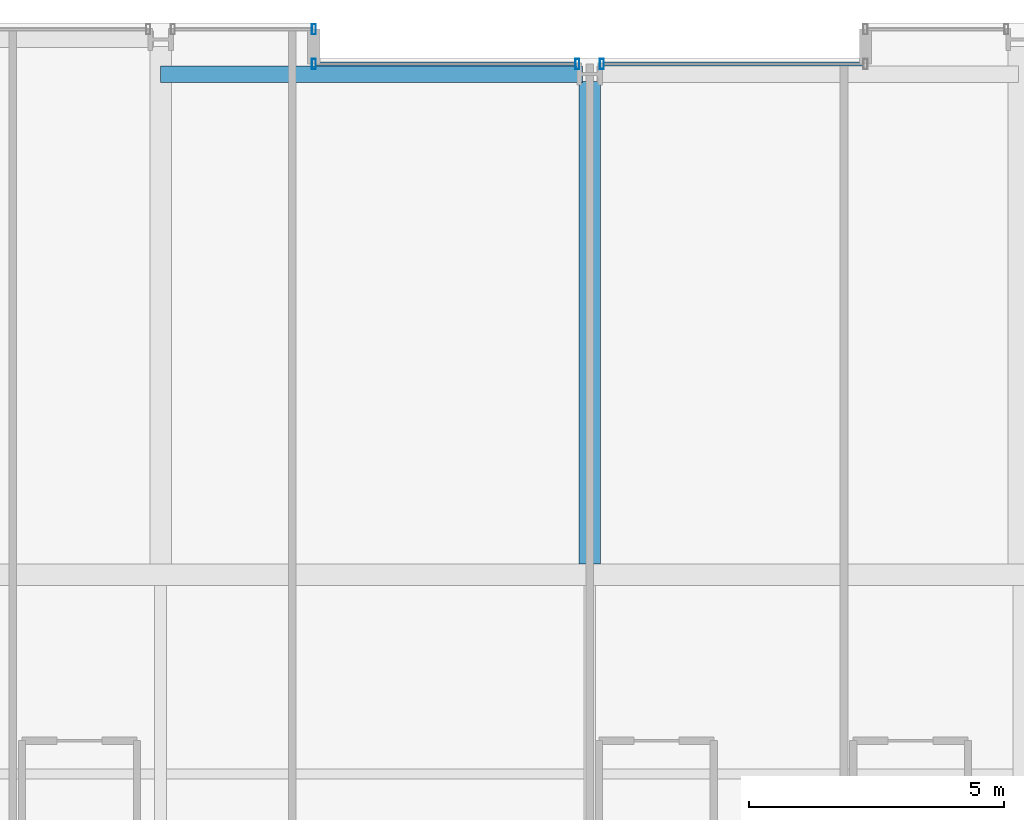
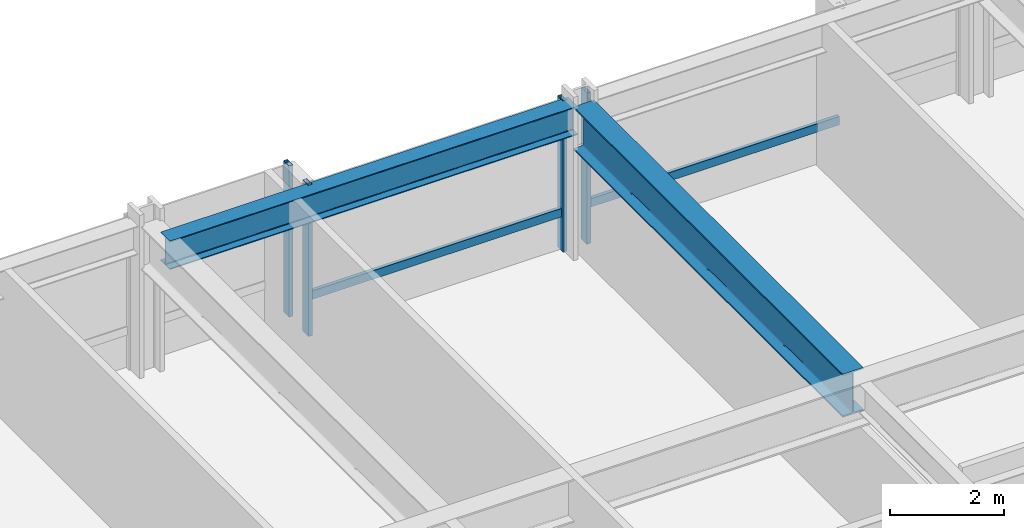
# One storey, part 23 of 42: 6 members, 2 beams, 3 elements without a shape of their own.
"""IFC4 building model written with IfcOpenShell, lengths in metres."""

from ifc_helpers import new_model, si_unit, direction, frame, origin, origin_2d, place, context, subcontext, project, spatial, hollow_rectangle, i_section, extrude, material, layer, layer_set, material_profile, profile_set, type_object, element, aggregate, save


model = new_model("IFC4")

# Units and contexts
model_context = context("Model", 3, precision=1e-05, world=origin(), true_north=direction((0.0, 1.0)))
body_context = subcontext(model_context, "Body", "Model", "MODEL_VIEW")
ifc_project = project(units=[si_unit("LENGTHUNIT", "METRE"), si_unit("AREAUNIT", "SQUARE_METRE"), si_unit("VOLUMEUNIT", "CUBIC_METRE"), si_unit("PLANEANGLEUNIT", "RADIAN"), si_unit("MASSUNIT", "GRAM", prefix="KILO")], contexts=[model_context])

# Site, building, storey
site_placement = place(None, origin())
site = spatial("IfcSite", under=ifc_project, at=site_placement, CompositionType="ELEMENT")
building_placement = place(site_placement, origin())
building = spatial("IfcBuilding", under=site, at=building_placement, Name="Drelvath Grand Hotel", CompositionType="ELEMENT")
storey_placement = place(building_placement, frame((0.0, 0.0, 33.199951171875)))
storey = spatial("IfcBuildingStorey", under=building, at=storey_placement, Name="L06", CompositionType="ELEMENT", Elevation=33.199951171875)

# Curtain wall, member
ifc_material_1 = material(Name="Warm Bronze Anodised Aluminium Frame", Category="aluminium")
ifc_layer = layer(ifc_material_1, 0.199951171875)
ifc_layer_set = layer_set([ifc_layer], Name="Warm Bronze Anodised Aluminium Frame")
curtain_wall_type = type_object("IfcCurtainWallType", Name="Stick Curtain Wall CW-02 Warm Bronze Low-Rise", PredefinedType="NOTDEFINED", material=ifc_layer_set)
curtain_wall_1_placement = place(storey_placement, origin())
curtain_wall_1 = element("IfcCurtainWall", 1, at=curtain_wall_1_placement, inside=storey, type_object=curtain_wall_type, Name="L06 CW-02 Curtain Wall CW02-L06-NM1", PredefinedType="NOTDEFINED")
ifc_material_profile_1 = material_profile(ifc_material_1, hollow_rectangle(XDim=0.074951171875, YDim=0.179931640625, WallThickness=0.0048828125, at=origin_2d()), Name="HSS180X75X5")
ifc_profile_set_1 = profile_set([ifc_material_profile_1], Name="Warm Bronze Anodised Aluminium Frame")
member_type_1 = type_object("IfcMemberType", Name="Curtain Wall Horizontal Transom CW-02 HSS180X75X5", PredefinedType="USERDEFINED", material=ifc_profile_set_1)
member_1_placement = place(storey_placement, frame((-5.360107421875, 53.199951171875, 0.81005859375), z_axis=(1.0, 0.0, 0.0), x_axis=(0.0, 1.0, 0.0)))
member_1 = element("IfcMember", 2, at=member_1_placement, type_object=member_type_1, Name="CW02-L06-NM1 Sill Transom", ObjectType="TRANSOM", PredefinedType="USERDEFINED", context=body_context, shape_type="SweptSolid", body=[
    extrude(hollow_rectangle(XDim=0.074951171875, YDim=0.179931640625, WallThickness=0.0048828125, at=origin_2d()), origin(), (0.0, 0.0, 1.0), 5.0791015625),
])

curtain_wall_2_placement = place(storey_placement, origin())
curtain_wall_2 = element("IfcCurtainWall", 3, at=curtain_wall_2_placement, inside=storey, type_object=curtain_wall_type, Name="L06 CW-02 Curtain Wall CW02-L06-NM2", PredefinedType="NOTDEFINED")
member_2_placement = place(storey_placement, frame((0.281005859375, 53.199951171875, 0.81005859375), z_axis=(1.0, 0.0, 0.0), x_axis=(0.0, 1.0, 0.0)))
member_2 = element("IfcMember", 4, at=member_2_placement, type_object=member_type_1, Name="CW02-L06-NM2 Sill Transom", ObjectType="TRANSOM", PredefinedType="USERDEFINED", context=body_context, shape_type="SweptSolid", body=[
    extrude(hollow_rectangle(XDim=0.074951171875, YDim=0.179931640625, WallThickness=0.0048828125, at=origin_2d()), origin(), (0.0, 0.0, 1.0), 5.0791015625),
])

curtain_wall_3_placement = place(storey_placement, origin())
curtain_wall_3 = element("IfcCurtainWall", 5, at=curtain_wall_3_placement, inside=storey, type_object=curtain_wall_type, Name="L06 CW-02 Curtain Wall CW02-L06-NW3", PredefinedType="NOTDEFINED")
ifc_material_profile_2 = material_profile(ifc_material_1, hollow_rectangle(XDim=0.080078125, YDim=0.199951171875, WallThickness=0.0048828125, at=origin_2d()), Name="HSS200X80X5")
ifc_profile_set_2 = profile_set([ifc_material_profile_2], Name="Warm Bronze Anodised Aluminium Frame")
member_type_2 = type_object("IfcMemberType", Name="Curtain Wall Vertical Mullion CW-02 HSS200X80X5", PredefinedType="MULLION", material=ifc_profile_set_2)
member_3_placement = place(storey_placement, frame((-5.39990234375, 53.8798828125, 0.0), z_axis=(0.0, 0.0, 1.0), x_axis=(1.0, 0.0, 0.0)))
member_3 = element("IfcMember", 6, at=member_3_placement, type_object=member_type_2, Name="CW02-L06-NW3 Mullion 2", PredefinedType="MULLION", context=body_context, shape_type="SweptSolid", body=[
    extrude(hollow_rectangle(XDim=0.080078125, YDim=0.199951171875, WallThickness=0.0048828125, at=origin_2d()), origin(), (0.0, 0.0, 1.0), 3.239990234375),
])
aggregate(curtain_wall_3, [member_3])

# Member
member_4_placement = place(storey_placement, frame((-5.39990234375, 53.199951171875, 0.0), z_axis=(0.0, 0.0, 1.0), x_axis=(1.0, 0.0, 0.0)))
member_4 = element("IfcMember", 7, at=member_4_placement, type_object=member_type_2, Name="CW02-L06-NM1 Mullion 1", PredefinedType="MULLION", context=body_context, shape_type="SweptSolid", body=[
    extrude(hollow_rectangle(XDim=0.080078125, YDim=0.199951171875, WallThickness=0.0048828125, at=origin_2d()), origin(), (0.0, 0.0, 1.0), 3.239990234375),
])

member_5_placement = place(storey_placement, frame((-0.240966796875, 53.199951171875, 0.0), z_axis=(0.0, 0.0, 1.0), x_axis=(1.0, 0.0, 0.0)))
member_5 = element("IfcMember", 8, at=member_5_placement, type_object=member_type_2, Name="CW02-L06-NM1 Mullion 2", PredefinedType="MULLION", context=body_context, shape_type="SweptSolid", body=[
    extrude(hollow_rectangle(XDim=0.080078125, YDim=0.199951171875, WallThickness=0.0048828125, at=origin_2d()), origin(), (0.0, 0.0, 1.0), 3.239990234375),
])

aggregate(curtain_wall_1, [member_4, member_5, member_1])

member_6_placement = place(storey_placement, frame((0.240966796875, 53.199951171875, 0.0), z_axis=(0.0, 0.0, 1.0), x_axis=(1.0, 0.0, 0.0)))
member_6 = element("IfcMember", 9, at=member_6_placement, type_object=member_type_2, Name="CW02-L06-NM2 Mullion 1", PredefinedType="MULLION", context=body_context, shape_type="SweptSolid", body=[
    extrude(hollow_rectangle(XDim=0.080078125, YDim=0.199951171875, WallThickness=0.0048828125, at=origin_2d()), origin(), (0.0, 0.0, 1.0), 3.239990234375),
])

aggregate(curtain_wall_2, [member_6, member_2])

# Beams
ifc_material_2 = material(Name="Steel ASTM A992 Gr 50", Category="steel")
ifc_material_profile_3 = material_profile(ifc_material_2, i_section(OverallWidth=0.323974609375, OverallDepth=0.611083984375, WebThickness=0.0126953125, FlangeThickness=0.01904296875, FilletRadius=0.02197265625, at=origin_2d()), Name="W24X104")
ifc_profile_set_3 = profile_set([ifc_material_profile_3], Name="Steel ASTM A992 Gr 50")
beam_type_1 = type_object("IfcBeamType", Name="Perimeter Spandrel Beam W24X104", PredefinedType="SPANDREL", material=ifc_profile_set_3)
beam_1_placement = place(storey_placement, frame((-8.39990234375, 53.0, 2.9345703125), z_axis=(1.0, 0.0, 0.0), x_axis=(0.0, 1.0, 0.0)))
element("IfcBeam", 10, at=beam_1_placement, inside=storey, type_object=beam_type_1, Name="L06 Spandrel North Mid W", PredefinedType="SPANDREL", context=body_context, shape_type="SweptSolid", body=[
    extrude(i_section(OverallWidth=0.323974609375, OverallDepth=0.611083984375, WebThickness=0.0126953125, FlangeThickness=0.01904296875, FilletRadius=0.02197265625, at=origin_2d()), origin(), (0.0, 0.0, 1.0), 8.260009765625),
])
ifc_material_profile_4 = material_profile(ifc_material_2, i_section(OverallWidth=0.418212890625, OverallDepth=0.926513671875, WebThickness=0.019287109375, FlangeThickness=0.031982421875, FilletRadius=0.028076171875, at=origin_2d()), Name="W36X231")
ifc_profile_set_4 = profile_set([ifc_material_profile_4], Name="Steel ASTM A992 Gr 50")
beam_type_2 = type_object("IfcBeamType", Name="Primary Floor Girder W36X231", PredefinedType="BEAM", material=ifc_profile_set_4)
beam_2_placement = place(storey_placement, frame((0.0, 43.4091796875, 2.77685546875), z_axis=(0.0, 1.0, 0.0), x_axis=(-1.0, 0.0, 0.0)))
element("IfcBeam", 11, at=beam_2_placement, inside=storey, type_object=beam_type_2, Name="L06 North Wing Girder 5", PredefinedType="BEAM", context=body_context, shape_type="SweptSolid", body=[
    extrude(i_section(OverallWidth=0.418212890625, OverallDepth=0.926513671875, WebThickness=0.019287109375, FlangeThickness=0.031982421875, FilletRadius=0.028076171875, at=origin_2d()), origin(), (0.0, 0.0, 1.0), 9.450927734375),
])

save(model, "model.ifc")
